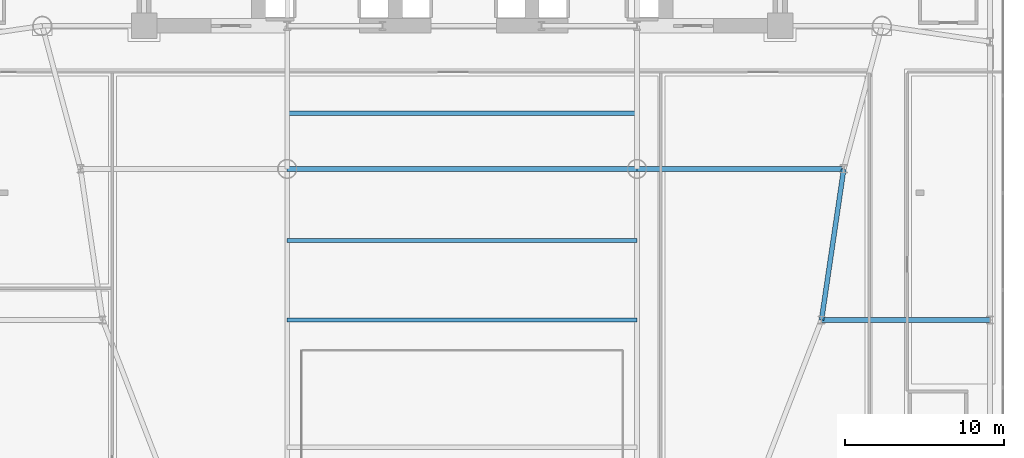
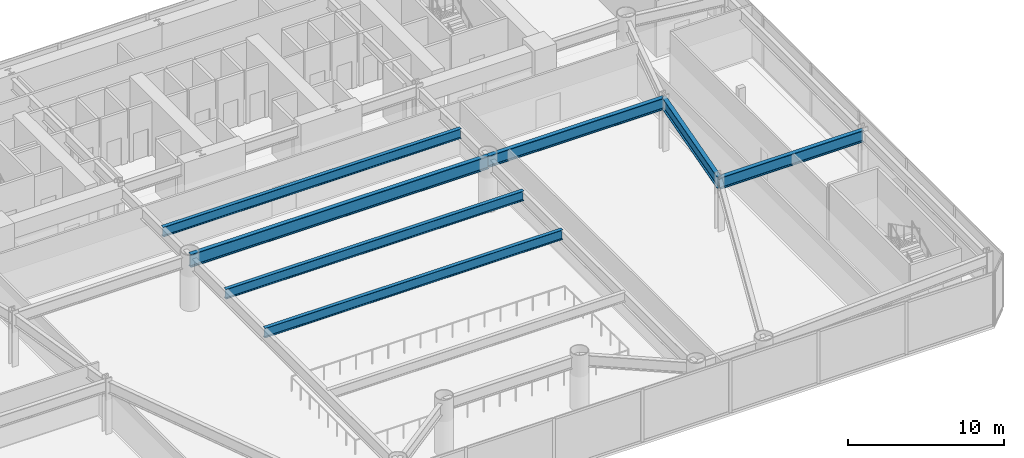
# One storey, part 6 of 24: 7 beams.
"""IFC4 building model written with IfcOpenShell, lengths in metres."""

from ifc_helpers import new_model, si_unit, direction, frame, origin, origin_2d, place, context, subcontext, project, spatial, i_section, extrude, source, transform, mapped, material, material_profile, profile_set, type_object, element, save


model = new_model("IFC4")

# Units and contexts
model_context = context("Model", 3, precision=1e-05, world=origin(), true_north=direction((0.0, 1.0)))
body_context = subcontext(model_context, "Body", "Model", "MODEL_VIEW")
ifc_project = project(units=[si_unit("LENGTHUNIT", "METRE"), si_unit("AREAUNIT", "SQUARE_METRE"), si_unit("VOLUMEUNIT", "CUBIC_METRE"), si_unit("PLANEANGLEUNIT", "RADIAN"), si_unit("MASSUNIT", "GRAM", prefix="KILO")], contexts=[model_context])

# Site, building, storey
site_placement = place(None, origin())
site = spatial("IfcSite", under=ifc_project, at=site_placement, CompositionType="ELEMENT")
building_placement = place(site_placement, origin())
building = spatial("IfcBuilding", under=site, at=building_placement, Name="Vaeldorn Concourse Tower", CompositionType="ELEMENT")
storey_placement = place(building_placement, frame((0.0, 0.0, 5.60009765625)))
storey = spatial("IfcBuildingStorey", under=building, at=storey_placement, Name="L01", CompositionType="ELEMENT", Elevation=5.60009765625)

# Beams
ifc_material_1 = material(Name="Steel S355", Category="steel")
ifc_material_profile_1 = material_profile(ifc_material_1, i_section(OverallWidth=0.302001953125, OverallDepth=0.909912109375, WebThickness=0.02099609375, FlangeThickness=0.0400390625, FilletRadius=0.030029296875, at=origin_2d()), Name="HEM 900")
ifc_profile_set_1 = profile_set([ifc_material_profile_1], Name="Steel S355")
beam_type_1 = type_object("IfcBeamType", Name="BM-PG-HEM900", PredefinedType="BEAM", material=ifc_profile_set_1)
shared_shape_1 = source(origin(), body_context, "Body", "SweptSolid", [
    extrude(i_section(OverallWidth=0.302001953125, OverallDepth=0.909912109375, WebThickness=0.02099609375, FlangeThickness=0.0400390625, FilletRadius=0.030029296875, at=origin_2d()), origin(), (0.0, 0.0, 1.0), 9.6025390625),
])
beam_1_placement = place(storey_placement, frame((58.0, 27.5, 3.664794921875), z_axis=(-0.145783835977, -0.989316467652, 0.0), x_axis=(0.989316467652, -0.145783835977, 0.0)))
element("IfcBeam", 1, at=beam_1_placement, inside=storey, type_object=beam_type_1, Name="Beam BM-L01-C-FLE1-C-FLE2", PredefinedType="BEAM", context=body_context, shape_type="MappedRepresentation", body=[
    mapped(shared_shape_1, transform((0.0, 0.0, 0.0), scale=1.0)),
])
ifc_material_2 = material(Name="Steel S460", Category="steel")
ifc_material_profile_2 = material_profile(ifc_material_2, i_section(OverallWidth=0.302001953125, OverallDepth=1.008056640625, WebThickness=0.02099609375, FlangeThickness=0.0400390625, FilletRadius=0.030029296875, at=origin_2d()), Name="HEM 1000")
ifc_profile_set_2 = profile_set([ifc_material_profile_2], Name="Steel S460")
beam_type_2 = type_object("IfcBeamType", Name="BM-TG-HEM1000", PredefinedType="BEAM", material=ifc_profile_set_2)
shared_shape_2 = source(origin(), body_context, "Body", "SweptSolid", [
    extrude(i_section(OverallWidth=0.302001953125, OverallDepth=1.008056640625, WebThickness=0.02099609375, FlangeThickness=0.0400390625, FilletRadius=0.030029296875, at=origin_2d()), origin(), (0.0, 0.0, 1.0), 22.0),
])
beam_2_placement = place(storey_placement, frame((23.0, 27.5, 3.615966796875), z_axis=(1.0, 0.0, 0.0), x_axis=(0.0, 1.0, 0.0)))
element("IfcBeam", 2, at=beam_2_placement, inside=storey, type_object=beam_type_2, Name="Beam BM-L01-C-TW1-C-TW4", PredefinedType="BEAM", context=body_context, shape_type="MappedRepresentation", body=[
    mapped(shared_shape_2, transform((0.0, 0.0, 0.0), scale=1.0)),
])
shared_shape_3 = source(origin(), body_context, "Body", "SweptSolid", [
    extrude(i_section(OverallWidth=0.302001953125, OverallDepth=0.909912109375, WebThickness=0.02099609375, FlangeThickness=0.0400390625, FilletRadius=0.030029296875, at=origin_2d()), origin(), (0.0, 0.0, 1.0), 13.0),
])
beam_3_placement = place(storey_placement, frame((45.0, 27.5, 3.664794921875), z_axis=(1.0, 0.0, 0.0), x_axis=(0.0, 1.0, 0.0)))
element("IfcBeam", 3, at=beam_3_placement, inside=storey, type_object=beam_type_1, Name="Beam BM-L01-C-TW4-C-FLE1", PredefinedType="BEAM", context=body_context, shape_type="MappedRepresentation", body=[
    mapped(shared_shape_3, transform((0.0, 0.0, 0.0), scale=1.0)),
])
shared_shape_4 = source(origin(), body_context, "Body", "SweptSolid", [
    extrude(i_section(OverallWidth=0.302001953125, OverallDepth=0.909912109375, WebThickness=0.02099609375, FlangeThickness=0.0400390625, FilletRadius=0.030029296875, at=origin_2d()), origin(), (0.0, 0.0, 1.0), 10.599853515625),
])
beam_4_placement = place(storey_placement, frame((67.199951171875, 18.0, 3.664794921875), z_axis=(-1.0, 0.0, 0.0), x_axis=(0.0, -1.0, 0.0)))
element("IfcBeam", 4, at=beam_4_placement, inside=storey, type_object=beam_type_1, Name="Beam BM-L01-C-PE2-C-FLE2", PredefinedType="BEAM", context=body_context, shape_type="MappedRepresentation", body=[
    mapped(shared_shape_4, transform((0.0, 0.0, 0.0), scale=1.0)),
])
ifc_material_profile_3 = material_profile(ifc_material_1, i_section(OverallWidth=0.26708984375, OverallDepth=0.761962890625, WebThickness=0.014404296875, FlangeThickness=0.021484375, FilletRadius=0.01708984375, at=origin_2d()), Name="IPE 750x173")
ifc_profile_set_3 = profile_set([ifc_material_profile_3], Name="Steel S355")
beam_type_3 = type_object("IfcBeamType", Name="BM-JS-IPE750", PredefinedType="JOIST", material=ifc_profile_set_3)
shared_shape_5 = source(origin(), body_context, "Body", "SweptSolid", [
    extrude(i_section(OverallWidth=0.26708984375, OverallDepth=0.761962890625, WebThickness=0.014404296875, FlangeThickness=0.021484375, FilletRadius=0.01708984375, at=origin_2d()), origin(), (0.0, 0.0, 1.0), 22.0),
])
for number, where, z_axis, x_axis, name in (
    (5, (23.0, 18.0, 3.739013671875), (1.0, 0.0, 0.0), (0.0, 1.0, 0.0), "Beam JS-L01-C-18"),
    (6, (23.0, 23.0, 3.739013671875), (1.0, 0.0, 0.0), (0.0, 1.0, 0.0), "Beam JS-L01-C-23"),
    (7, (23.0, 31.0, 3.739013671875), (1.0, 0.0, 0.0), (0.0, 1.0, 0.0), "Beam JS-L01-C-31"),
):
    element("IfcBeam", number, at=place(storey_placement, frame(where, z_axis=z_axis, x_axis=x_axis)), inside=storey, type_object=beam_type_3, Name=name, PredefinedType="JOIST", context=body_context, shape_type="MappedRepresentation", body=[
        mapped(shared_shape_5, transform((0.0, 0.0, 0.0), scale=1.0)),
    ])

save(model, "model.ifc")
